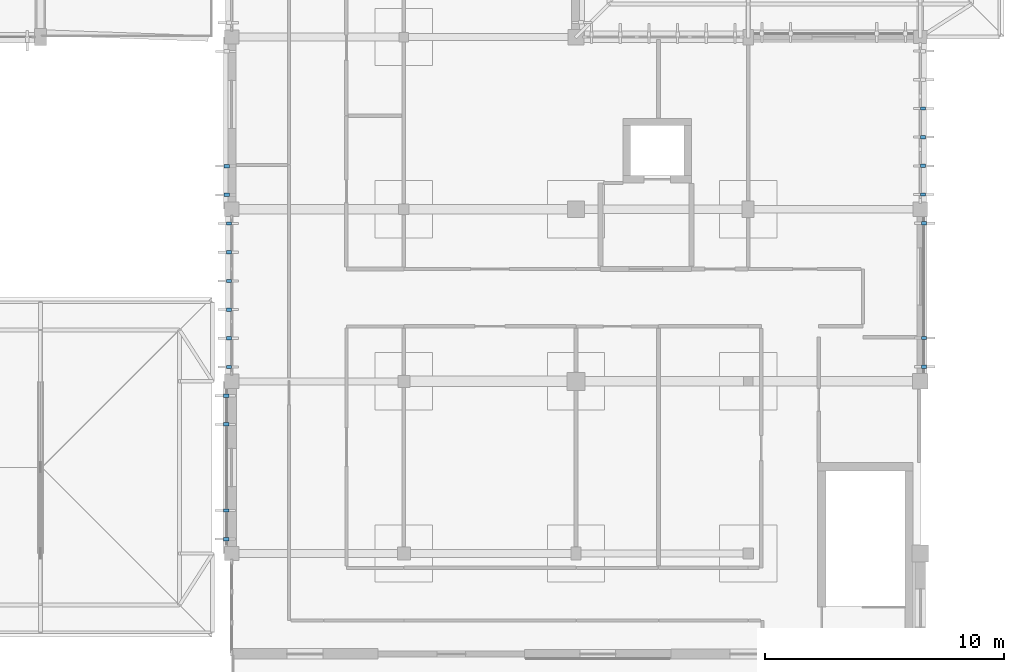
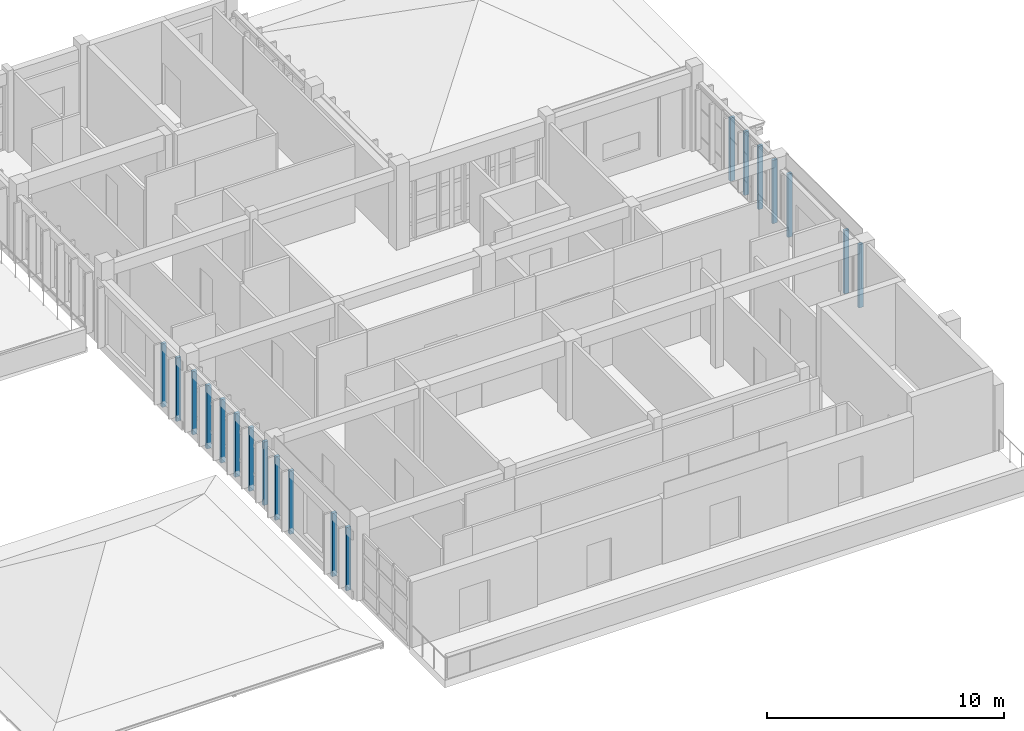
# One storey, part 41 of 51: 19 discrete accessories.
"""IFC4 building model written with IfcOpenShell, lengths in metres."""

from ifc_helpers import new_model, si_unit, direction, frame, origin, origin_2d, place, context, subcontext, project, spatial, rectangle, extrude, material, type_object, element, save


model = new_model("IFC4")

# Units and contexts
model_context = context("Model", 3, precision=1e-05, world=origin(), true_north=direction((0.0, 1.0)))
body_context = subcontext(model_context, "Body", "Model", "MODEL_VIEW")
ifc_project = project(units=[si_unit("LENGTHUNIT", "METRE"), si_unit("AREAUNIT", "SQUARE_METRE"), si_unit("VOLUMEUNIT", "CUBIC_METRE"), si_unit("PLANEANGLEUNIT", "RADIAN"), si_unit("MASSUNIT", "GRAM", prefix="KILO")], contexts=[model_context])

# Site, building, storey
site_placement = place(None, origin())
site = spatial("IfcSite", under=ifc_project, at=site_placement, CompositionType="ELEMENT")
building_placement = place(site_placement, origin())
building = spatial("IfcBuilding", under=site, at=building_placement, Name="Steenspoor Specialist Clinic", CompositionType="ELEMENT")
storey_placement = place(building_placement, frame((0.0, 0.0, 17.39990234375)))
storey = spatial("IfcBuildingStorey", under=building, at=storey_placement, Name="L04", CompositionType="ELEMENT", Elevation=17.39990234375)

# Discrete accessories
ifc_material = material(Name="Galvanised steel mounting bracket", Category="steel")
discrete_accessory_type = type_object("IfcDiscreteAccessoryType", Name="ACC-BRACKET-FIN", PredefinedType="BRACKET", material=ifc_material)
for number, where, z_axis, x_axis, name in (
    (1, (146.909912109375, 90.96240234375, 0.050048828125), (0.0, 0.0, 1.0), (1.0, 0.0, 0.0), "Timber Screen Bracket 240"),
    (2, (146.909912109375, 89.762451171875, 0.050048828125), (0.0, 0.0, 1.0), (1.0, 0.0, 0.0), "Timber Screen Bracket 241"),
    (3, (146.909912109375, 88.5625, 0.050048828125), (0.0, 0.0, 1.0), (1.0, 0.0, 0.0), "Timber Screen Bracket 242"),
    (4, (146.909912109375, 87.362548828125, 0.050048828125), (0.0, 0.0, 1.0), (1.0, 0.0, 0.0), "Timber Screen Bracket 243"),
    (5, (146.949951171875, 86.16259765625, 0.050048828125), (0.0, 0.0, 1.0), (1.0, 0.0, 0.0), "Timber Screen Bracket 246"),
    (6, (146.949951171875, 81.362548828125, 0.050048828125), (0.0, 0.0, 1.0), (1.0, 0.0, 0.0), "Timber Screen Bracket 247"),
    (7, (146.949951171875, 80.16259765625, 0.050048828125), (0.0, 0.0, 1.0), (1.0, 0.0, 0.0), "Timber Screen Bracket 248"),
    (8, (117.77490234375, 72.949951171875, 0.050048828125), (0.0, 0.0, 1.0), (-1.0, 0.0, 0.0), "Timber Screen Bracket 251"),
    (9, (117.77490234375, 74.14990234375, 0.050048828125), (0.0, 0.0, 1.0), (-1.0, 0.0, 0.0), "Timber Screen Bracket 252"),
    (10, (117.77490234375, 77.75, 0.050048828125), (0.0, 0.0, 1.0), (-1.0, 0.0, 0.0), "Timber Screen Bracket 253"),
    (11, (117.77490234375, 78.949951171875, 0.050048828125), (0.0, 0.0, 1.0), (-1.0, 0.0, 0.0), "Timber Screen Bracket 254"),
    (12, (117.889892578125, 80.14990234375, 0.050048828125), (0.0, 0.0, 1.0), (-1.0, 0.0, 0.0), "Timber Screen Bracket 257"),
    (13, (117.889892578125, 81.35009765625, 0.050048828125), (0.0, 0.0, 1.0), (-1.0, 0.0, 0.0), "Timber Screen Bracket 258"),
    (14, (117.889892578125, 82.550048828125, 0.050048828125), (0.0, 0.0, 1.0), (-1.0, 0.0, 0.0), "Timber Screen Bracket 259"),
    (15, (117.889892578125, 83.75, 0.050048828125), (0.0, 0.0, 1.0), (-1.0, 0.0, 0.0), "Timber Screen Bracket 260"),
    (16, (117.889892578125, 84.949951171875, 0.050048828125), (0.0, 0.0, 1.0), (-1.0, 0.0, 0.0), "Timber Screen Bracket 261"),
    (17, (117.889892578125, 86.14990234375, 0.050048828125), (0.0, 0.0, 1.0), (-1.0, 0.0, 0.0), "Timber Screen Bracket 262"),
    (18, (117.7900390625, 87.35009765625, 0.050048828125), (0.0, 0.0, 1.0), (-1.0, 0.0, 0.0), "Timber Screen Bracket 265"),
    (19, (117.7900390625, 88.550048828125, 0.050048828125), (0.0, 0.0, 1.0), (-1.0, 0.0, 0.0), "Timber Screen Bracket 266"),
):
    element("IfcDiscreteAccessory", number, at=place(storey_placement, frame(where, z_axis=z_axis, x_axis=x_axis)), inside=storey, type_object=discrete_accessory_type, Name=name, PredefinedType="BRACKET", context=body_context, shape_type="SweptSolid", body=[
        extrude(rectangle(XDim=0.219970703125, YDim=0.139892578125, at=origin_2d()), origin(), (0.0, 0.0, 1.0), 3.27001953125),
    ])

save(model, "model.ifc")
